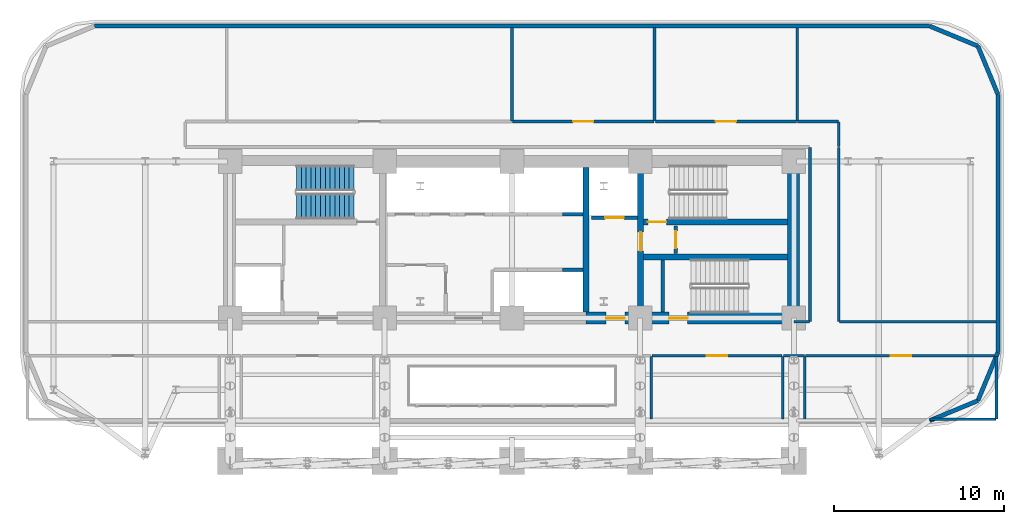
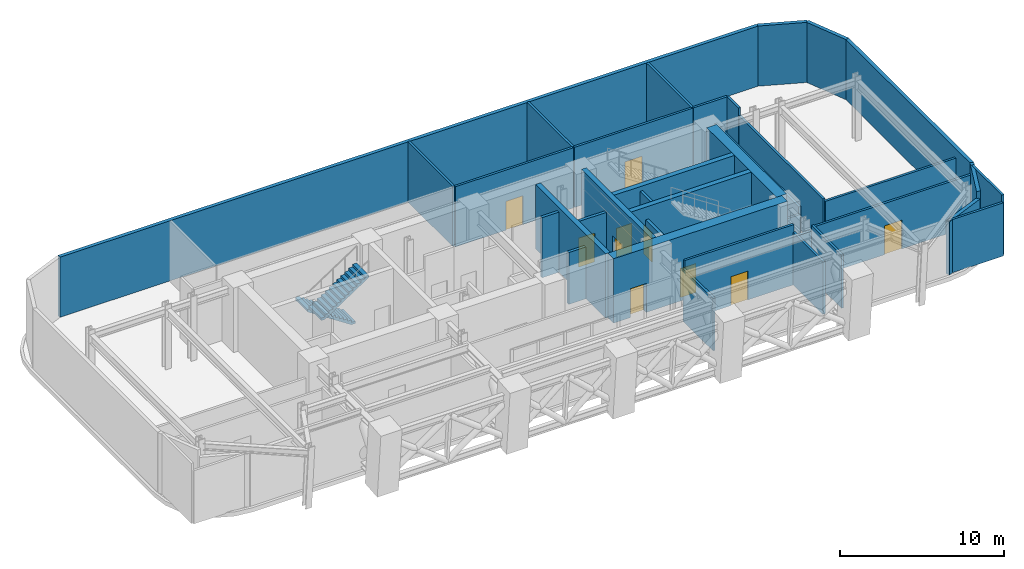
# One storey, part 9 of 12: 36 walls, 10 doors, 2 stair flights, 10 openings, 1 element without a shape of its own.
"""IFC4 building model written with IfcOpenShell, lengths in metres."""

import ifcopenshell
import ifcopenshell.guid

model = None  # the IFC model being written
_history = None  # IfcOwnerHistory: only IFC2X3 demands one
_inside = {}  # id of a spatial element -> (the spatial element, [elements in it])
_under = {}  # id of a project, library or spatial element -> (it, [spatial elements below it])
_declared = {}  # id of a project -> (the project, [libraries it declares])
_typed = {}  # id of a type object -> (the type object, [elements of that type])
_made_of = {}  # id of a material, layer set ... -> (it, [elements and type objects made of it])


def new_model(schema):
    """Start an empty IFC model of exactly this schema.

    Asked for "IFC4X3", IfcOpenShell would pick the latest addendum, in which some entities
    have other attributes; the version numbers below select the first issue.
    IFC2X3 requires an IfcOwnerHistory on every rooted entity: one is made here for all.
    """
    global model, _history
    if schema == "IFC4X3":
        model = ifcopenshell.file(schema_version=(4, 3, 0, 0))
    else:
        model = ifcopenshell.file(schema=schema)
    _inside.clear()
    _under.clear()
    _declared.clear()
    _typed.clear()
    _made_of.clear()
    _history = None
    if model.schema == "IFC2X3":
        org = make("IfcOrganization", Name="unknown")
        user = make(
            "IfcPersonAndOrganization",
            ThePerson=make("IfcPerson", FamilyName="unknown"),
            TheOrganization=org,
        )
        app = make(
            "IfcApplication",
            ApplicationDeveloper=org,
            Version="unknown",
            ApplicationFullName="unknown",
            ApplicationIdentifier="unknown",
        )
        _history = make(
            "IfcOwnerHistory",
            OwningUser=user,
            OwningApplication=app,
            ChangeAction="ADDED",
            CreationDate=0,
        )
    return model


def make(cls, **values):
    """One entity of the class cls with the attributes given. An attribute that is None is left unset."""
    return model.create_entity(
        cls, **{name: value for name, value in values.items() if value is not None}
    )


def rooted(cls, **values):
    """An entity with a GlobalId (a new one), such as an element, a storey or a relation."""
    return make(cls, GlobalId=ifcopenshell.guid.new(), OwnerHistory=_history, **values)


def si_unit(unit_type, name, prefix=None):
    """IfcSIUnit, for example si_unit("LENGTHUNIT", "METRE", prefix="MILLI")."""
    return make("IfcSIUnit", UnitType=unit_type, Prefix=prefix, Name=name)


def assignment(units):
    """IfcUnitAssignment: the units of a project."""
    return None if units is None else make("IfcUnitAssignment", Units=units)


def point(xyz):
    """IfcCartesianPoint."""
    return None if xyz is None else make("IfcCartesianPoint", Coordinates=xyz)


def direction(xyz):
    """IfcDirection."""
    return None if xyz is None else make("IfcDirection", DirectionRatios=xyz)


def frame(location, z_axis=None, x_axis=None):
    """IfcAxis2Placement3D, a coordinate frame: its origin and axes. An axis left out is left unset."""
    return make(
        "IfcAxis2Placement3D",
        Location=point(location),
        Axis=direction(z_axis),
        RefDirection=direction(x_axis),
    )


def frame_2d(location, x_axis=None):
    """IfcAxis2Placement2D, a coordinate frame in the plane: its origin and x axis."""
    return make(
        "IfcAxis2Placement2D", Location=point(location), RefDirection=direction(x_axis)
    )


def origin():
    """The frame at (0, 0, 0) with its axes left unset."""
    return frame((0.0, 0.0, 0.0))


def place(relative_to, where):
    """IfcLocalPlacement: puts the frame where relative to a parent placement (None: the world)."""
    return make(
        "IfcLocalPlacement", PlacementRelTo=relative_to, RelativePlacement=where
    )


def context(
    kind, dimensions, precision=None, world=None, true_north=None, identifier=None
):
    """IfcGeometricRepresentationContext, for example the 3D "Model" context."""
    return make(
        "IfcGeometricRepresentationContext",
        ContextIdentifier=identifier,
        ContextType=kind,
        CoordinateSpaceDimension=dimensions,
        Precision=precision,
        WorldCoordinateSystem=world,
        TrueNorth=true_north,
    )


def subcontext(parent, identifier, kind, view, scale=None):
    """IfcGeometricRepresentationSubContext, for example "Body" below "Model"."""
    return make(
        "IfcGeometricRepresentationSubContext",
        ContextIdentifier=identifier,
        ContextType=kind,
        ParentContext=parent,
        TargetScale=scale,
        TargetView=view,
    )


def project(units=None, contexts=None):
    """IfcProject with its units and contexts."""
    return rooted(
        "IfcProject",
        Name="project",
        RepresentationContexts=contexts,
        UnitsInContext=assignment(units),
    )


def spatial(cls, under=None, at=None, **own):
    """A site, building, storey or space (cls), placed at a placement, below another one or the project."""
    s = rooted(cls, ObjectPlacement=at, **own)
    if under is not None:
        _under.setdefault(under.id(), (under, []))[1].append(s)
    return s


def polyline(points):
    """IfcPolyline through the points."""
    return make("IfcPolyline", Points=[point(p) for p in points])


def profile(cls, at=None, kind="AREA", **sizes):
    """A parametric profile (cls). Its sizes go by their IFC names, for example OverallWidth=200.0."""
    return make(cls, ProfileType=kind, Position=at, **sizes)


def rectangle(**sizes):
    """IfcRectangleProfileDef."""
    return profile("IfcRectangleProfileDef", **sizes)


def outline(outer, holes=None, kind="AREA"):
    """IfcArbitraryClosedProfileDef: a profile drawn as a closed curve; with holes, ...WithVoids."""
    if holes is None:
        return make("IfcArbitraryClosedProfileDef", ProfileType=kind, OuterCurve=outer)
    return make(
        "IfcArbitraryProfileDefWithVoids",
        ProfileType=kind,
        OuterCurve=outer,
        InnerCurves=holes,
    )


def extrude(swept, where, along, depth):
    """IfcExtrudedAreaSolid: the profile swept, set in the frame where, extruded along a direction by depth."""
    return make(
        "IfcExtrudedAreaSolid",
        SweptArea=swept,
        Position=where,
        ExtrudedDirection=direction(along),
        Depth=depth,
    )


def shape(context_of_items, identifier, shape_type, items):
    """IfcShapeRepresentation: the items that make up one representation, for example the "Body"."""
    return make(
        "IfcShapeRepresentation",
        ContextOfItems=context_of_items,
        RepresentationIdentifier=identifier,
        RepresentationType=shape_type,
        Items=items,
    )


def material(Name=None, Category=None):
    """IfcMaterial."""
    return make("IfcMaterial", Name=Name, Category=Category)


def layer(
    of_material, thickness, ventilated=None, Name=None, Category=None, Priority=None
):
    """IfcMaterialLayer: one layer of a wall or slab, of a material (None: an air gap)."""
    return make(
        "IfcMaterialLayer",
        Material=of_material,
        LayerThickness=thickness,
        IsVentilated=ventilated,
        Name=Name,
        Category=Category,
        Priority=Priority,
    )


def layer_set(layers, Name=None):
    """IfcMaterialLayerSet."""
    return make("IfcMaterialLayerSet", MaterialLayers=layers, LayerSetName=Name)


def made_of(thing, what):
    """Note that an element or type object is made of a material, layer set ...; save() writes the relation."""
    if what is not None:
        _made_of.setdefault(what.id(), (what, []))[1].append(thing)
    return thing


def type_object(cls, material=None, **own):
    """A type object (cls), such as IfcWallType, which elements share."""
    return made_of(rooted(cls, **own), material)


def element(
    cls,
    number,
    at=None,
    inside=None,
    cuts=None,
    type_object=None,
    material=None,
    context=None,
    identifier="Body",
    shape_type=None,
    held_by="IfcProductDefinitionShape",
    body=None,
    shapes=None,
    **own,
):
    """One element of the class cls, such as IfcWall. Its Tag is "e" and its number.

    at: its placement. inside: the storey or other place that contains it. cuts: it is an
    opening in that element (IfcRelVoidsElement). A single representation is given by context,
    identifier, shape_type and body (its items); several are given by shapes. held_by: the class
    of the entity that holds the representations. save() writes the other relations.
    """
    e = rooted(cls, Tag="e%d" % number, ObjectPlacement=at, **own)
    if body is not None:
        shapes = [shape(context, identifier, shape_type, body)]
    if shapes is not None:
        e.Representation = make(held_by, Representations=shapes)
    if inside is not None:
        _inside.setdefault(inside.id(), (inside, []))[1].append(e)
    if cuts is not None:
        rooted(
            "IfcRelVoidsElement", RelatingBuildingElement=cuts, RelatedOpeningElement=e
        )
    if type_object is not None:
        _typed.setdefault(type_object.id(), (type_object, []))[1].append(e)
    return made_of(e, material)


def fill(opening, filler):
    """IfcRelFillsElement: the door or window that sits in an opening."""
    return rooted(
        "IfcRelFillsElement",
        RelatingOpeningElement=opening,
        RelatedBuildingElement=filler,
    )


def aggregate(whole, parts):
    """IfcRelAggregates: a whole, such as a stair, and the parts it consists of."""
    return rooted("IfcRelAggregates", RelatingObject=whole, RelatedObjects=parts)


def save(model, path):
    """Write the relations noted so far, then the file.

    IfcRelAggregates (storeys below a building ...), IfcRelContainedInSpatialStructure (elements
    in a storey), IfcRelDefinesByType, IfcRelAssociatesMaterial and IfcRelDeclares: one each for
    every whole, place, type object, material and project.
    """
    for whole, parts in _under.values():
        aggregate(whole, parts)
    for where, things in _inside.values():
        rooted(
            "IfcRelContainedInSpatialStructure",
            RelatedElements=things,
            RelatingStructure=where,
        )
    for kind, things in _typed.values():
        rooted("IfcRelDefinesByType", RelatedObjects=things, RelatingType=kind)
    for what, things in _made_of.values():
        rooted("IfcRelAssociatesMaterial", RelatedObjects=things, RelatingMaterial=what)
    for by, libraries in _declared.values():
        rooted("IfcRelDeclares", RelatingContext=by, RelatedDefinitions=libraries)
    model.write(path)


model = new_model("IFC4")

# Units and contexts
model_context = context("Model", 3, precision=1e-05, world=origin(), true_north=direction((0.0, 1.0)))
body_context = subcontext(model_context, "Body", "Model", "MODEL_VIEW")
ifc_project = project(units=[si_unit("LENGTHUNIT", "METRE"), si_unit("AREAUNIT", "SQUARE_METRE"), si_unit("VOLUMEUNIT", "CUBIC_METRE"), si_unit("PLANEANGLEUNIT", "RADIAN"), si_unit("MASSUNIT", "GRAM", prefix="KILO")], contexts=[model_context])

# Site, building, storey
site_placement = place(None, origin())
site = spatial("IfcSite", under=ifc_project, at=site_placement, CompositionType="ELEMENT")
building_placement = place(site_placement, origin())
building = spatial("IfcBuilding", under=site, at=building_placement, Name="Zarnavel Station Tower", CompositionType="ELEMENT")
storey_placement = place(building_placement, frame((0.0, 0.0, 74.5)))
storey = spatial("IfcBuildingStorey", under=building, at=storey_placement, Name="L20", CompositionType="ELEMENT", Elevation=74.5)

# Wall
ifc_material_1 = material(Name="Concrete C50/60", Category="concrete")
ifc_layer_1 = layer(ifc_material_1, 0.35009765625)
ifc_layer_set_1 = layer_set([ifc_layer_1], Name="CW_350")
wall_type_1 = type_object("IfcWallType", Name="CW_350", PredefinedType="SHEAR", material=ifc_layer_set_1)
wall_1_placement = place(storey_placement, frame((33.14990234375, 28.169921875, 0.0), z_axis=(0.0, 0.0, 1.0), x_axis=(0.0, 1.0, 0.0)))
element("IfcWall", 1, at=wall_1_placement, inside=storey, type_object=wall_type_1, Name="L20 Rear Core Shear Wall DIV-E", PredefinedType="SHEAR", context=body_context, shape_type="SweptSolid", body=[
    extrude(rectangle(XDim=8.530029296875, YDim=0.35009765625, at=frame_2d((4.26513671875, 0.0))), origin(), (0.0, 0.0, 1.0), 4.800048828125),
])

# Wall, opening, door
wall_2_placement = place(storey_placement, frame((36.3798828125, 28.169921875, 0.0), z_axis=(0.0, 0.0, 1.0), x_axis=(0.0, 1.0, 0.0)))
wall_2 = element("IfcWall", 2, at=wall_2_placement, inside=storey, type_object=wall_type_1, Name="L20 Rear Core Shear Wall DIV-S2", PredefinedType="SHEAR", context=body_context, shape_type="SweptSolid", body=[
    extrude(rectangle(XDim=8.530029296875, YDim=0.35009765625, at=frame_2d((4.26513671875, 0.0))), origin(), (0.0, 0.0, 1.0), 4.800048828125),
])
opening_1_placement = place(wall_2_placement, frame((3.610107421875, 0.0, 0.0)))
opening_1 = element("IfcOpeningElement", 3, at=opening_1_placement, cuts=wall_2, Name="Opening FD01", PredefinedType="OPENING", context=body_context, shape_type="SweptSolid", body=[
    extrude(rectangle(XDim=1.10009765625, YDim=2.14990234375, at=frame_2d((0.550048828125, 1.074951171875))), frame((0.0, 0.18505859375, 0.0), z_axis=(0.0, -1.0, 0.0), x_axis=(1.0, 0.0, 0.0)), (0.0, 0.0, 1.0), 0.3701171875),
])
ifc_material_2 = material(Name="Painted Galvanised Steel and Hardwood Leaf", Category="steel")
door_type_1 = type_object("IfcDoorType", Name="ID_STAIR_1100", OperationType="NOTDEFINED", PredefinedType="DOOR", material=ifc_material_2)
door_1_placement = place(opening_1_placement, origin())
door_1 = element("IfcDoor", 4, at=door_1_placement, inside=storey, type_object=door_type_1, Name="L20 East Stair Vestibule Fire Door", OperationType="SINGLE_SWING_LEFT", OverallHeight=2.14990234375, OverallWidth=1.10009765625, PredefinedType="DOOR", context=body_context, shape_type="SweptSolid", body=[
    extrude(rectangle(XDim=1.10009765625, YDim=2.14990234375, at=frame_2d((0.550048828125, 1.074951171875))), frame((0.0, 0.02490234375, 0.0), z_axis=(0.0, -1.0, 0.0), x_axis=(1.0, 0.0, 0.0)), (0.0, 0.0, 1.0), 0.050048828125),
])
fill(opening_1, door_1)

wall_3_placement = place(storey_placement, frame((45.030029296875, 33.47998046875, 0.0), z_axis=(0.0, 0.0, 1.0), x_axis=(-1.0, 0.0, 0.0)))
wall_3 = element("IfcWall", 5, at=wall_3_placement, inside=storey, type_object=wall_type_1, Name="L20 Rear Core Shear Wall DIV-H2", PredefinedType="SHEAR", context=body_context, shape_type="SweptSolid", body=[
    extrude(rectangle(XDim=8.47509765625, YDim=0.35009765625, at=frame_2d((4.237548828125, 0.0))), origin(), (0.0, 0.0, 1.0), 4.800048828125),
])
opening_2_placement = place(wall_3_placement, frame((7.1298828125, 0.0, 0.0)))
opening_2 = element("IfcOpeningElement", 6, at=opening_2_placement, cuts=wall_3, Name="Opening FD01", PredefinedType="OPENING", context=body_context, shape_type="SweptSolid", body=[
    extrude(rectangle(XDim=1.10009765625, YDim=2.14990234375, at=frame_2d((0.550048828125, 1.074951171875))), frame((0.0, 0.18505859375, 0.0), z_axis=(0.0, -1.0, 0.0), x_axis=(1.0, 0.0, 0.0)), (0.0, 0.0, 1.0), 0.3701171875),
])
door_2_placement = place(opening_2_placement, origin())
door_2 = element("IfcDoor", 7, at=door_2_placement, inside=storey, type_object=door_type_1, Name="L20 Stair ST2 Lobby Fire Door", OperationType="SINGLE_SWING_RIGHT", OverallHeight=2.14990234375, OverallWidth=1.10009765625, PredefinedType="DOOR", context=body_context, shape_type="SweptSolid", body=[
    extrude(rectangle(XDim=1.10009765625, YDim=2.14990234375, at=frame_2d((0.550048828125, 1.074951171875))), frame((0.0, 0.02490234375, 0.0), z_axis=(0.0, -1.0, 0.0), x_axis=(1.0, 0.0, 0.0)), (0.0, 0.0, 1.0), 0.050048828125),
])
fill(opening_2, door_2)

# Wall
wall_4_placement = place(storey_placement, frame((36.554931640625, 31.419921875, 0.0), z_axis=(0.0, 0.0, 1.0), x_axis=(1.0, 0.0, 0.0)))
element("IfcWall", 8, at=wall_4_placement, inside=storey, type_object=wall_type_1, Name="L20 Rear Core Shear Wall DIV-H3", PredefinedType="SHEAR", context=body_context, shape_type="SweptSolid", body=[
    extrude(rectangle(XDim=8.47509765625, YDim=0.35009765625, at=frame_2d((4.237548828125, 0.0))), origin(), (0.0, 0.0, 1.0), 4.800048828125),
])

# Wall, openings, doors
ifc_material_3 = material(Name="Concrete C60/75", Category="concrete")
ifc_layer_2 = layer(ifc_material_3, 0.699951171875)
ifc_layer_set_2 = layer_set([ifc_layer_2], Name="CW_700")
wall_type_2 = type_object("IfcWallType", Name="CW_700", PredefinedType="SHEAR", material=ifc_layer_set_2)
wall_5_placement = place(storey_placement, frame((45.3798828125, 27.820068359375, 0.0), z_axis=(0.0, 0.0, 1.0), x_axis=(-1.0, 0.0, 0.0)))
wall_5 = element("IfcWall", 9, at=wall_5_placement, inside=storey, type_object=wall_type_2, Name="L20 Rear Core Shear Wall S-E", PredefinedType="SHEAR", context=body_context, shape_type="SweptSolid", body=[
    extrude(rectangle(XDim=12.22998046875, YDim=0.699951171875, at=frame_2d((6.114990234375, 0.0))), origin(), (0.0, 0.0, 1.0), 4.800048828125),
])
opening_3_placement = place(wall_5_placement, frame((9.929931640625, 0.0, 0.0)))
opening_3 = element("IfcOpeningElement", 10, at=opening_3_placement, cuts=wall_5, Name="Opening FD01", PredefinedType="OPENING", context=body_context, shape_type="SweptSolid", body=[
    extrude(rectangle(XDim=1.10009765625, YDim=2.14990234375, at=frame_2d((0.550048828125, 1.074951171875))), frame((0.0, 0.35986328125, 0.0), z_axis=(0.0, -1.0, 0.0), x_axis=(1.0, 0.0, 0.0)), (0.0, 0.0, 1.0), 0.719970703125),
])
opening_4_placement = place(wall_5_placement, frame((6.22998046875, 0.0, 0.0)))
opening_4 = element("IfcOpeningElement", 11, at=opening_4_placement, cuts=wall_5, Name="Opening FD01", PredefinedType="OPENING", context=body_context, shape_type="SweptSolid", body=[
    extrude(rectangle(XDim=1.10009765625, YDim=2.14990234375, at=frame_2d((0.550048828125, 1.074951171875))), frame((0.0, 0.35986328125, 0.0), z_axis=(0.0, -1.0, 0.0), x_axis=(1.0, 0.0, 0.0)), (0.0, 0.0, 1.0), 0.719970703125),
])
door_3_placement = place(opening_3_placement, origin())
door_3 = element("IfcDoor", 12, at=door_3_placement, inside=storey, type_object=door_type_1, Name="L20 East Firefighting Lobby Door", OperationType="SINGLE_SWING_LEFT", OverallHeight=2.14990234375, OverallWidth=1.10009765625, PredefinedType="DOOR", context=body_context, shape_type="SweptSolid", body=[
    extrude(rectangle(XDim=1.10009765625, YDim=2.14990234375, at=frame_2d((0.550048828125, 1.074951171875))), frame((0.0, 0.02490234375, 0.0), z_axis=(0.0, -1.0, 0.0), x_axis=(1.0, 0.0, 0.0)), (0.0, 0.0, 1.0), 0.050048828125),
])
fill(opening_3, door_3)
door_4_placement = place(opening_4_placement, origin())
door_4 = element("IfcDoor", 13, at=door_4_placement, inside=storey, type_object=door_type_1, Name="L20 Stair ST3 Corridor Fire Door", OperationType="SINGLE_SWING_RIGHT", OverallHeight=2.14990234375, OverallWidth=1.10009765625, PredefinedType="DOOR", context=body_context, shape_type="SweptSolid", body=[
    extrude(rectangle(XDim=1.10009765625, YDim=2.14990234375, at=frame_2d((0.550048828125, 1.074951171875))), frame((0.0, 0.02490234375, 0.0), z_axis=(0.0, -1.0, 0.0), x_axis=(1.0, 0.0, 0.0)), (0.0, 0.0, 1.0), 0.050048828125),
])
fill(opening_4, door_4)

# Walls
wall_6_placement = place(storey_placement, frame((45.3798828125, 28.169921875, 0.0), z_axis=(0.0, 0.0, 1.0), x_axis=(0.0, 1.0, 0.0)))
element("IfcWall", 14, at=wall_6_placement, inside=storey, type_object=wall_type_2, Name="L20 Rear Core Shear Wall E", PredefinedType="SHEAR", context=body_context, shape_type="SweptSolid", body=[
    extrude(rectangle(XDim=8.530029296875, YDim=0.699951171875, at=frame_2d((4.26513671875, 0.0))), origin(), (0.0, 0.0, 1.0), 4.800048828125),
])
ifc_material_4 = material(Name="Precast concrete C45/55 (Basalt Spandrel)", Category="masonry")
ifc_layer_3 = layer(ifc_material_4, 0.25)
ifc_layer_set_3 = layer_set([ifc_layer_3], Name="EW_SPANDREL_250")
wall_type_3 = type_object("IfcWallType", Name="EW_SPANDREL_250", PredefinedType="SOLIDWALL", material=ifc_layer_set_3)
wall_7_placement = place(storey_placement, frame((56.24267578125, 22.95751953125, 0.0), z_axis=(0.0, 0.0, 1.0), x_axis=(-0.923882414032, -0.382676475685, 0.0)))
element("IfcWall", 15, at=wall_7_placement, inside=storey, type_object=wall_type_3, Name="L20 Exterior Basalt Masonry Frame Wall 01", PredefinedType="SOLIDWALL", context=body_context, shape_type="SweptSolid", body=[
    extrude(rectangle(XDim=3.076904296875, YDim=0.25, at=frame_2d((1.53857421875, 0.0))), origin(), (0.0, 0.0, 1.0), 3.9599609375),
])
wall_8_placement = place(storey_placement, frame((57.419921875, 25.800048828125, 0.0), z_axis=(0.0, 0.0, 1.0), x_axis=(-0.382636798336, -0.92389884758, 0.0)))
element("IfcWall", 16, at=wall_8_placement, inside=storey, type_object=wall_type_3, Name="L20 Exterior Basalt Masonry Frame Wall 02", PredefinedType="SOLIDWALL", context=body_context, shape_type="SweptSolid", body=[
    extrude(rectangle(XDim=3.07666015625, YDim=0.25, at=frame_2d((1.538330078125, 0.0))), origin(), (0.0, 0.0, 1.0), 4.47998046875),
])
wall_9_placement = place(storey_placement, frame((57.419921875, 41.0, 0.0), z_axis=(0.0, 0.0, 1.0), x_axis=(0.0, -1.0, 0.0)))
element("IfcWall", 17, at=wall_9_placement, inside=storey, type_object=wall_type_3, Name="L20 Exterior Basalt Masonry Frame Wall 03", PredefinedType="SOLIDWALL", context=body_context, shape_type="SweptSolid", body=[
    extrude(rectangle(XDim=15.199951171875, YDim=0.25, at=frame_2d((7.60009765625, 0.0))), origin(), (0.0, 0.0, 1.0), 4.47998046875),
])
wall_10_placement = place(storey_placement, frame((56.24267578125, 43.842529296875, 0.0), z_axis=(0.0, 0.0, 1.0), x_axis=(0.382636798336, -0.92389884758, 0.0)))
element("IfcWall", 18, at=wall_10_placement, inside=storey, type_object=wall_type_3, Name="L20 Exterior Basalt Masonry Frame Wall 04", PredefinedType="SOLIDWALL", context=body_context, shape_type="SweptSolid", body=[
    extrude(rectangle(XDim=3.07666015625, YDim=0.25, at=frame_2d((1.538330078125, 0.0))), origin(), (0.0, 0.0, 1.0), 4.47998046875),
])
wall_11_placement = place(storey_placement, frame((53.39990234375, 45.02001953125, 0.0), z_axis=(0.0, 0.0, 1.0), x_axis=(0.923882414032, -0.382676475685, 0.0)))
element("IfcWall", 19, at=wall_11_placement, inside=storey, type_object=wall_type_3, Name="L20 Exterior Basalt Masonry Frame Wall 05", PredefinedType="SOLIDWALL", context=body_context, shape_type="SweptSolid", body=[
    extrude(rectangle(XDim=3.076904296875, YDim=0.25, at=frame_2d((1.53857421875, 0.0))), origin(), (0.0, 0.0, 1.0), 4.47998046875),
])
wall_12_placement = place(storey_placement, frame((4.199951171875, 45.02001953125, 0.0), z_axis=(0.0, 0.0, 1.0), x_axis=(1.0, 0.0, 0.0)))
element("IfcWall", 20, at=wall_12_placement, inside=storey, type_object=wall_type_3, Name="L20 Exterior Basalt Masonry Frame Wall 06", PredefinedType="SOLIDWALL", context=body_context, shape_type="SweptSolid", body=[
    extrude(rectangle(XDim=49.199951171875, YDim=0.25, at=frame_2d((24.60009765625, 0.0))), origin(), (0.0, 0.0, 1.0), 4.47998046875),
])

# Wall, opening, door
ifc_material_5 = material(Name="Gypsum Twin-Stud Acoustic Fire Partition", Category="concrete")
ifc_layer_4 = layer(ifc_material_5, 0.159912109375)
ifc_layer_set_4 = layer_set([ifc_layer_4], Name="PT_DEMISE_160")
wall_type_4 = type_object("IfcWallType", Name="PT_DEMISE_160", PredefinedType="PARTITIONING", material=ifc_layer_set_4)
wall_13_placement = place(storey_placement, frame((37.0400390625, 25.60009765625, 0.0), z_axis=(0.0, 0.0, 1.0), x_axis=(1.0, 0.0, 0.0)))
wall_13 = element("IfcWall", 21, at=wall_13_placement, inside=storey, type_object=wall_type_4, Name="L20 Partition PCOR-AHU2", PredefinedType="PARTITIONING", context=body_context, shape_type="SweptSolid", body=[
    extrude(rectangle(XDim=7.669921875, YDim=0.159912109375, at=frame_2d((3.8349609375, 0.0))), origin(), (0.0, 0.0, 1.0), 4.47998046875),
])
opening_5_placement = place(wall_13_placement, frame((3.235107421875, 0.0, 0.0)))
opening_5 = element("IfcOpeningElement", 22, at=opening_5_placement, cuts=wall_13, Name="Opening FD03", PredefinedType="OPENING", context=body_context, shape_type="SweptSolid", body=[
    extrude(rectangle(XDim=1.199951171875, YDim=2.14990234375, at=frame_2d((0.60009765625, 1.074951171875))), frame((0.0, 0.08984375, 0.0), z_axis=(0.0, -1.0, 0.0), x_axis=(1.0, 0.0, 0.0)), (0.0, 0.0, 1.0), 0.179931640625),
])
ifc_material_6 = material(Name="Painted Galvanised Steel and Hardwood Leaf", Category="steel")
door_type_2 = type_object("IfcDoorType", Name="ID_PLANT_1200", OperationType="NOTDEFINED", PredefinedType="DOOR", material=ifc_material_6)
door_5_placement = place(opening_5_placement, origin())
door_5 = element("IfcDoor", 23, at=door_5_placement, inside=storey, type_object=door_type_2, Name="L20 Door PCOR-AHU2", OperationType="SINGLE_SWING_LEFT", OverallHeight=2.14990234375, OverallWidth=1.199951171875, PredefinedType="DOOR", context=body_context, shape_type="SweptSolid", body=[
    extrude(rectangle(XDim=1.199951171875, YDim=2.14990234375, at=frame_2d((0.60009765625, 1.074951171875))), frame((0.0, 0.02490234375, 0.0), z_axis=(0.0, -1.0, 0.0), x_axis=(1.0, 0.0, 0.0)), (0.0, 0.0, 1.0), 0.050048828125),
])
fill(opening_5, door_5)

wall_14_placement = place(storey_placement, frame((46.090087890625, 25.60009765625, 0.0), z_axis=(0.0, 0.0, 1.0), x_axis=(1.0, 0.0, 0.0)))
wall_14 = element("IfcWall", 24, at=wall_14_placement, inside=storey, type_object=wall_type_4, Name="L20 Partition PCOR-PMP", PredefinedType="PARTITIONING", context=body_context, shape_type="SweptSolid", body=[
    extrude(rectangle(XDim=11.25, YDim=0.159912109375, at=frame_2d((5.625, 0.0))), origin(), (0.0, 0.0, 1.0), 3.81005859375),
])
opening_6_placement = place(wall_14_placement, frame((5.02490234375, 0.0, 0.0)))
opening_6 = element("IfcOpeningElement", 25, at=opening_6_placement, cuts=wall_14, Name="Opening FD03", PredefinedType="OPENING", context=body_context, shape_type="SweptSolid", body=[
    extrude(rectangle(XDim=1.199951171875, YDim=2.14990234375, at=frame_2d((0.60009765625, 1.074951171875))), frame((0.0, 0.08984375, 0.0), z_axis=(0.0, -1.0, 0.0), x_axis=(1.0, 0.0, 0.0)), (0.0, 0.0, 1.0), 0.179931640625),
])
door_6_placement = place(opening_6_placement, origin())
door_6 = element("IfcDoor", 26, at=door_6_placement, inside=storey, type_object=door_type_2, Name="L20 Door PCOR-PMP", OperationType="SINGLE_SWING_RIGHT", OverallHeight=2.14990234375, OverallWidth=1.199951171875, PredefinedType="DOOR", context=body_context, shape_type="SweptSolid", body=[
    extrude(rectangle(XDim=1.199951171875, YDim=2.14990234375, at=frame_2d((0.60009765625, 1.074951171875))), frame((0.0, 0.02490234375, 0.0), z_axis=(0.0, -1.0, 0.0), x_axis=(1.0, 0.0, 0.0)), (0.0, 0.0, 1.0), 0.050048828125),
])
fill(opening_6, door_6)

wall_15_placement = place(storey_placement, frame((28.840087890625, 39.39990234375, 0.0), z_axis=(0.0, 0.0, 1.0), x_axis=(1.0, 0.0, 0.0)))
wall_15 = element("IfcWall", 27, at=wall_15_placement, inside=storey, type_object=wall_type_4, Name="L20 Partition PCOR-N-SUB1", PredefinedType="PARTITIONING", context=body_context, shape_type="SweptSolid", body=[
    extrude(rectangle(XDim=8.31982421875, YDim=0.159912109375, at=frame_2d((4.159912109375, 0.0))), origin(), (0.0, 0.0, 1.0), 4.47998046875),
])
opening_7_placement = place(wall_15_placement, frame((3.56005859375, 0.0, 0.0)))
opening_7 = element("IfcOpeningElement", 28, at=opening_7_placement, cuts=wall_15, Name="Opening FD03", PredefinedType="OPENING", context=body_context, shape_type="SweptSolid", body=[
    extrude(rectangle(XDim=1.199951171875, YDim=2.14990234375, at=frame_2d((0.60009765625, 1.074951171875))), frame((0.0, 0.08984375, 0.0), z_axis=(0.0, -1.0, 0.0), x_axis=(1.0, 0.0, 0.0)), (0.0, 0.0, 1.0), 0.179931640625),
])
door_7_placement = place(opening_7_placement, origin())
door_7 = element("IfcDoor", 29, at=door_7_placement, inside=storey, type_object=door_type_2, Name="L20 Door PCOR-N-SUB1", OperationType="SINGLE_SWING_RIGHT", OverallHeight=2.14990234375, OverallWidth=1.199951171875, PredefinedType="DOOR", context=body_context, shape_type="SweptSolid", body=[
    extrude(rectangle(XDim=1.199951171875, YDim=2.14990234375, at=frame_2d((0.60009765625, 1.074951171875))), frame((0.0, 0.02490234375, 0.0), z_axis=(0.0, -1.0, 0.0), x_axis=(1.0, 0.0, 0.0)), (0.0, 0.0, 1.0), 0.050048828125),
])
fill(opening_7, door_7)

wall_16_placement = place(storey_placement, frame((37.239990234375, 39.39990234375, 0.0), z_axis=(0.0, 0.0, 1.0), x_axis=(1.0, 0.0, 0.0)))
wall_16 = element("IfcWall", 30, at=wall_16_placement, inside=storey, type_object=wall_type_4, Name="L20 Partition PCOR-N-SUB2", PredefinedType="PARTITIONING", context=body_context, shape_type="SweptSolid", body=[
    extrude(rectangle(XDim=8.320068359375, YDim=0.159912109375, at=frame_2d((4.16015625, 0.0))), origin(), (0.0, 0.0, 1.0), 4.47998046875),
])
opening_8_placement = place(wall_16_placement, frame((3.56005859375, 0.0, 0.0)))
opening_8 = element("IfcOpeningElement", 31, at=opening_8_placement, cuts=wall_16, Name="Opening FD03", PredefinedType="OPENING", context=body_context, shape_type="SweptSolid", body=[
    extrude(rectangle(XDim=1.199951171875, YDim=2.14990234375, at=frame_2d((0.60009765625, 1.074951171875))), frame((0.0, 0.08984375, 0.0), z_axis=(0.0, -1.0, 0.0), x_axis=(1.0, 0.0, 0.0)), (0.0, 0.0, 1.0), 0.179931640625),
])
door_8_placement = place(opening_8_placement, origin())
door_8 = element("IfcDoor", 32, at=door_8_placement, inside=storey, type_object=door_type_2, Name="L20 Door PCOR-N-SUB2", OperationType="SINGLE_SWING_LEFT", OverallHeight=2.14990234375, OverallWidth=1.199951171875, PredefinedType="DOOR", context=body_context, shape_type="SweptSolid", body=[
    extrude(rectangle(XDim=1.199951171875, YDim=2.14990234375, at=frame_2d((0.60009765625, 1.074951171875))), frame((0.0, 0.02490234375, 0.0), z_axis=(0.0, -1.0, 0.0), x_axis=(1.0, 0.0, 0.0)), (0.0, 0.0, 1.0), 0.050048828125),
])
fill(opening_8, door_8)

# Walls
for number, where, z_axis, x_axis, name in (
    (33, (28.800048828125, 39.43994140625, 0.0), (0.0, 0.0, 1.0), (0.0, 1.0, 0.0), "L20 Partition REFG2-SUB1"),
    (34, (37.199951171875, 39.43994140625, 0.0), (0.0, 0.0, 1.0), (0.0, 1.0, 0.0), "L20 Partition SUB1-SUB2"),
):
    element("IfcWall", number, at=place(storey_placement, frame(where, z_axis=z_axis, x_axis=x_axis)), inside=storey, type_object=wall_type_4, Name=name, PredefinedType="PARTITIONING", context=body_context, shape_type="SweptSolid", body=[
        extrude(rectangle(XDim=5.5, YDim=0.159912109375, at=frame_2d((2.75, 0.0))), origin(), (0.0, 0.0, 1.0), 4.47998046875),
    ])
wall_17_placement = place(storey_placement, frame((44.780029296875, 25.60009765625, 0.0), z_axis=(0.0, 0.0, 1.0), x_axis=(1.0, 0.0, 0.0)))
element("IfcWall", 35, at=wall_17_placement, inside=storey, type_object=wall_type_4, Name="L20 Enclosure Wall PCOR", PredefinedType="PARTITIONING", context=body_context, shape_type="SweptSolid", body=[
    extrude(rectangle(XDim=1.239990234375, YDim=0.159912109375, at=frame_2d((0.6201171875, 0.0))), origin(), (0.0, 0.0, 1.0), 3.550048828125),
])
wall_18_placement = place(storey_placement, frame((45.409912109375, 27.60009765625, 0.0), z_axis=(0.0, 0.0, 1.0), x_axis=(1.0, 0.0, 0.0)))
element("IfcWall", 36, at=wall_18_placement, inside=storey, type_object=wall_type_4, Name="L20 Enclosure Wall PCOR", PredefinedType="PARTITIONING", context=body_context, shape_type="SweptSolid", body=[
    extrude(rectangle(XDim=0.91015625, YDim=0.159912109375, at=frame_2d((0.455078125, 0.0))), origin(), (0.0, 0.0, 1.0), 3.451904296875),
])
wall_19_placement = place(storey_placement, frame((48.080078125, 27.60009765625, 0.0), z_axis=(0.0, 0.0, 1.0), x_axis=(1.0, 0.0, 0.0)))
element("IfcWall", 37, at=wall_19_placement, inside=storey, type_object=wall_type_4, Name="L20 Enclosure Wall PCOR", PredefinedType="PARTITIONING", context=body_context, shape_type="SweptSolid", body=[
    extrude(rectangle(XDim=9.22998046875, YDim=0.159912109375, at=frame_2d((4.614990234375, 0.0))), origin(), (0.0, 0.0, 1.0), 3.81005859375),
])
for number, where, z_axis, x_axis, name in (
    (38, (46.35009765625, 27.6298828125, 0.0), (0.0, 0.0, 1.0), (0.0, 1.0, 0.0), "L20 Enclosure Wall PCOR-E"),
    (39, (48.050048828125, 27.6298828125, 0.0), (0.0, 0.0, 1.0), (0.0, 1.0, 0.0), "L20 Enclosure Wall PCOR-E"),
):
    element("IfcWall", number, at=place(storey_placement, frame(where, z_axis=z_axis, x_axis=x_axis)), inside=storey, type_object=wall_type_4, Name=name, PredefinedType="PARTITIONING", context=body_context, shape_type="SweptSolid", body=[
        extrude(rectangle(XDim=10.240234375, YDim=0.159912109375, at=frame_2d((5.1201171875, 0.0))), origin(), (0.0, 0.0, 1.0), 3.9599609375),
    ])
wall_20_placement = place(storey_placement, frame((45.6298828125, 39.39990234375, 0.0), z_axis=(0.0, 0.0, 1.0), x_axis=(1.0, 0.0, 0.0)))
element("IfcWall", 40, at=wall_20_placement, inside=storey, type_object=wall_type_4, Name="L20 Enclosure Wall PCOR-N", PredefinedType="PARTITIONING", context=body_context, shape_type="SweptSolid", body=[
    extrude(rectangle(XDim=2.39013671875, YDim=0.159912109375, at=frame_2d((1.195068359375, 0.0))), origin(), (0.0, 0.0, 1.0), 4.47998046875),
])
wall_21_placement = place(storey_placement, frame((48.050048828125, 37.929931640625, 0.0), z_axis=(0.0, 0.0, 1.0), x_axis=(0.0, 1.0, 0.0)))
element("IfcWall", 41, at=wall_21_placement, inside=storey, type_object=wall_type_4, Name="L20 Enclosure Wall PCOR-N", PredefinedType="PARTITIONING", context=body_context, shape_type="SweptSolid", body=[
    extrude(rectangle(XDim=1.440185546875, YDim=0.159912109375, at=frame_2d((0.72021484375, 0.0))), origin(), (0.0, 0.0, 1.0), 4.47998046875),
])
for number, where, z_axis, x_axis, name in (
    (42, (37.0, 21.889892578125, 0.0), (0.0, 0.0, 1.0), (0.0, 1.0, 0.0), "L20 Enclosure Wall AHU2"),
    (43, (44.75, 21.889892578125, 0.0), (0.0, 0.0, 1.0), (0.0, 1.0, 0.0), "L20 Enclosure Wall AHU2"),
):
    element("IfcWall", number, at=place(storey_placement, frame(where, z_axis=z_axis, x_axis=x_axis)), inside=storey, type_object=wall_type_4, Name=name, PredefinedType="PARTITIONING", context=body_context, shape_type="SweptSolid", body=[
        extrude(rectangle(XDim=3.68017578125, YDim=0.159912109375, at=frame_2d((1.840087890625, 0.0))), origin(), (0.0, 0.0, 1.0), 3.909912109375),
    ])
wall_22_placement = place(storey_placement, frame((53.429931640625, 21.860107421875, 0.0), z_axis=(0.0, 0.0, 1.0), x_axis=(1.0, 0.0, 0.0)))
element("IfcWall", 44, at=wall_22_placement, inside=storey, type_object=wall_type_4, Name="L20 Enclosure Wall PMP", PredefinedType="PARTITIONING", context=body_context, shape_type="SweptSolid", body=[
    extrude(rectangle(XDim=3.880126953125, YDim=0.159912109375, at=frame_2d((1.93994140625, 0.0))), origin(), (0.0, 0.0, 1.0), 3.9599609375),
])
wall_23_placement = place(storey_placement, frame((46.050048828125, 21.889892578125, 0.0), z_axis=(0.0, 0.0, 1.0), x_axis=(0.0, 1.0, 0.0)))
element("IfcWall", 45, at=wall_23_placement, inside=storey, type_object=wall_type_4, Name="L20 Enclosure Wall PMP", PredefinedType="PARTITIONING", context=body_context, shape_type="SweptSolid", body=[
    extrude(rectangle(XDim=3.68017578125, YDim=0.159912109375, at=frame_2d((1.840087890625, 0.0))), origin(), (0.0, 0.0, 1.0), 3.9599609375),
])
wall_24_placement = place(storey_placement, frame((57.340087890625, 21.889892578125, 0.0), z_axis=(0.0, 0.0, 1.0), x_axis=(0.0, 1.0, 0.0)))
element("IfcWall", 46, at=wall_24_placement, inside=storey, type_object=wall_type_4, Name="L20 Enclosure Wall PMP", PredefinedType="PARTITIONING", context=body_context, shape_type="SweptSolid", body=[
    extrude(rectangle(XDim=3.68017578125, YDim=0.159912109375, at=frame_2d((1.840087890625, 0.0))), origin(), (0.0, 0.0, 1.0), 4.47998046875),
])
wall_25_placement = place(storey_placement, frame((45.60009765625, 39.429931640625, 0.0), z_axis=(0.0, 0.0, 1.0), x_axis=(0.0, 1.0, 0.0)))
element("IfcWall", 47, at=wall_25_placement, inside=storey, type_object=wall_type_4, Name="L20 Enclosure Wall SUB2", PredefinedType="PARTITIONING", context=body_context, shape_type="SweptSolid", body=[
    extrude(rectangle(XDim=5.47998046875, YDim=0.159912109375, at=frame_2d((2.739990234375, 0.0))), origin(), (0.0, 0.0, 1.0), 4.47998046875),
])

# Wall, opening, door
ifc_material_7 = material(Name="Precast concrete C45/55 (Fire Shaft Blockwork)", Category="masonry")
ifc_layer_5 = layer(ifc_material_7, 0.199951171875)
ifc_layer_set_5 = layer_set([ifc_layer_5], Name="PT_SHAFT_200")
wall_type_5 = type_object("IfcWallType", Name="PT_SHAFT_200", PredefinedType="PARTITIONING", material=ifc_layer_set_5)
wall_26_placement = place(storey_placement, frame((33.47509765625, 33.72998046875, 0.0), z_axis=(0.0, 0.0, 1.0), x_axis=(1.0, 0.0, 0.0)))
wall_26 = element("IfcWall", 48, at=wall_26_placement, inside=storey, type_object=wall_type_5, Name="L20 Lift FFL-02 Shaft Front Wall", PredefinedType="PARTITIONING", context=body_context, shape_type="SweptSolid", body=[
    extrude(rectangle(XDim=2.724853515625, YDim=0.199951171875, at=frame_2d((1.3623046875, 0.0))), origin(), (0.0, 0.0, 1.0), 3.451904296875),
])
opening_9_placement = place(wall_26_placement, frame((0.8125, 0.0, 0.0)))
opening_9 = element("IfcOpeningElement", 49, at=opening_9_placement, cuts=wall_26, Name="Opening LD01", PredefinedType="OPENING", context=body_context, shape_type="SweptSolid", body=[
    extrude(rectangle(XDim=1.10009765625, YDim=2.14990234375, at=frame_2d((0.550048828125, 1.074951171875))), frame((0.0, 0.10986328125, 0.0), z_axis=(0.0, -1.0, 0.0), x_axis=(1.0, 0.0, 0.0)), (0.0, 0.0, 1.0), 0.219970703125),
])
ifc_material_8 = material(Name="Painted Galvanised Steel and Hardwood Leaf", Category="steel")
door_type_3 = type_object("IfcDoorType", Name="LD_FF_1100", OperationType="DOUBLE_DOOR_SLIDING", PredefinedType="DOOR", material=ifc_material_8)
door_9_placement = place(opening_9_placement, origin())
door_9 = element("IfcDoor", 50, at=door_9_placement, inside=storey, type_object=door_type_3, Name="L20 Lift FFL-02 Sliding Landing Door", OperationType="DOUBLE_DOOR_SLIDING", OverallHeight=2.14990234375, OverallWidth=1.10009765625, PredefinedType="DOOR", context=body_context, shape_type="SweptSolid", body=[
    extrude(rectangle(XDim=1.10009765625, YDim=2.14990234375, at=frame_2d((0.550048828125, 1.074951171875))), frame((0.0, 0.02490234375, 0.0), z_axis=(0.0, -1.0, 0.0), x_axis=(1.0, 0.0, 0.0)), (0.0, 0.0, 1.0), 0.050048828125),
])
fill(opening_9, door_9)

# Walls
wall_27_placement = place(storey_placement, frame((31.77490234375, 30.669921875, 0.0), z_axis=(0.0, 0.0, 1.0), x_axis=(1.0, 0.0, 0.0)))
element("IfcWall", 51, at=wall_27_placement, inside=storey, type_object=wall_type_5, Name="L20 Lift PL-H3 Shaft Front Wall", PredefinedType="PARTITIONING", context=body_context, shape_type="SweptSolid", body=[
    extrude(rectangle(XDim=1.2001953125, YDim=0.199951171875, at=frame_2d((0.60009765625, 0.0))), origin(), (0.0, 0.0, 1.0), 3.860107421875),
])
wall_28_placement = place(storey_placement, frame((31.77490234375, 33.929931640625, 0.0), z_axis=(0.0, 0.0, 1.0), x_axis=(1.0, 0.0, 0.0)))
element("IfcWall", 52, at=wall_28_placement, inside=storey, type_object=wall_type_5, Name="L20 Lift PL-M3 Shaft Front Wall", PredefinedType="PARTITIONING", context=body_context, shape_type="SweptSolid", body=[
    extrude(rectangle(XDim=1.2001953125, YDim=0.199951171875, at=frame_2d((0.60009765625, 0.0))), origin(), (0.0, 0.0, 1.0), 4.47998046875),
])
wall_29_placement = place(storey_placement, frame((37.679931640625, 28.169921875, 0.0), z_axis=(0.0, 0.0, 1.0), x_axis=(0.0, 1.0, 0.0)))
element("IfcWall", 53, at=wall_29_placement, inside=storey, type_object=wall_type_5, Name="L20 Stair ST3 West Shaft Wall", PredefinedType="PARTITIONING", context=body_context, shape_type="SweptSolid", body=[
    extrude(rectangle(XDim=3.080078125, YDim=0.199951171875, at=frame_2d((1.5400390625, 0.0))), origin(), (0.0, 0.0, 1.0), 3.860107421875),
])

# Wall, opening, door
wall_30_placement = place(storey_placement, frame((38.449951171875, 31.639892578125, 0.0), z_axis=(0.0, 0.0, 1.0), x_axis=(0.0, 1.0, 0.0)))
wall_30 = element("IfcWall", 54, at=wall_30_placement, inside=storey, type_object=wall_type_5, Name="L20 Partition ESTV-CEA", PredefinedType="PARTITIONING", context=body_context, shape_type="SweptSolid", body=[
    extrude(rectangle(XDim=1.6201171875, YDim=0.199951171875, at=frame_2d((0.81005859375, 0.0))), origin(), (0.0, 0.0, 1.0), 4.47998046875),
])
opening_10_placement = place(wall_30_placement, frame((0.31005859375, 0.0, 0.0)))
opening_10 = element("IfcOpeningElement", 55, at=opening_10_placement, cuts=wall_30, Name="Opening FD02", PredefinedType="OPENING", context=body_context, shape_type="SweptSolid", body=[
    extrude(rectangle(XDim=1.0, YDim=2.14990234375, at=frame_2d((0.5, 1.074951171875))), frame((0.0, 0.10986328125, 0.0), z_axis=(0.0, -1.0, 0.0), x_axis=(1.0, 0.0, 0.0)), (0.0, 0.0, 1.0), 0.219970703125),
])
ifc_material_9 = material(Name="Painted Galvanised Steel and Hardwood Leaf", Category="steel")
door_type_4 = type_object("IfcDoorType", Name="ID_ENTRY_1000", OperationType="NOTDEFINED", PredefinedType="DOOR", material=ifc_material_9)
door_10_placement = place(opening_10_placement, origin())
door_10 = element("IfcDoor", 56, at=door_10_placement, inside=storey, type_object=door_type_4, Name="L20 Door ESTV-CEA", OperationType="SINGLE_SWING_RIGHT", OverallHeight=2.14990234375, OverallWidth=1.0, PredefinedType="DOOR", context=body_context, shape_type="SweptSolid", body=[
    extrude(rectangle(XDim=1.0, YDim=2.14990234375, at=frame_2d((0.5, 1.074951171875))), frame((0.0, 0.02490234375, 0.0), z_axis=(0.0, -1.0, 0.0), x_axis=(1.0, 0.0, 0.0)), (0.0, 0.0, 1.0), 0.050048828125),
])
fill(opening_10, door_10)

# Stair, stair flights
ifc_material_10 = material(Name="Concrete C45/55", Category="concrete")
stair_type = type_object("IfcStairType", Name="ST_CORE_150", PredefinedType="HALF_TURN_STAIR", material=ifc_material_10)
stair_placement = place(storey_placement, origin())
stair = element("IfcStair", 57, at=stair_placement, inside=storey, type_object=stair_type, Name="L20 Core Exit Stair ST1", PredefinedType="HALF_TURN_STAIR")
ifc_material_11 = material(Name="Concrete C45/55", Category="concrete")
ifc_layer_6 = layer(ifc_material_11, 0.179931640625)
ifc_layer_set_6 = layer_set([ifc_layer_6], Name="ST_CORE_150_FLT")
stair_flight_type = type_object("IfcStairFlightType", Name="ST_CORE_150_FLT", PredefinedType="STRAIGHT", material=ifc_layer_set_6)
stair_flight_1_placement = place(storey_placement, frame((19.47998046875, 36.070068359375, 0.0), z_axis=(0.0, 0.0, 1.0), x_axis=(-1.0, 0.0, 0.0)))
stair_flight_1 = element("IfcStairFlight", 58, at=stair_flight_1_placement, type_object=stair_flight_type, Name="ST1 flight 1", NumberOfRisers=13, NumberOfTreads=12, PredefinedType="STRAIGHT", RiserHeight=0.184615385, TreadLength=0.28, context=body_context, shape_type="SweptSolid", body=[
    extrude(outline(polyline([(0.0, 0.0), (0.0, 0.1845703125), (0.280029296875, 0.1845703125), (0.280029296875, 0.369140625), (0.56005859375, 0.369140625), (0.56005859375, 0.553955078125), (0.840087890625, 0.553955078125), (0.840087890625, 0.738525390625), (1.1201171875, 0.738525390625), (1.1201171875, 0.923095703125), (1.39990234375, 0.923095703125), (1.39990234375, 1.107666015625), (1.679931640625, 1.107666015625), (1.679931640625, 1.292236328125), (1.9599609375, 1.292236328125), (1.9599609375, 1.476806640625), (2.239990234375, 1.476806640625), (2.239990234375, 1.66162109375), (2.52001953125, 1.66162109375), (2.52001953125, 1.84619140625), (2.800048828125, 1.84619140625), (2.800048828125, 2.03076171875), (3.080078125, 2.03076171875), (3.080078125, 2.21533203125), (3.360107421875, 2.21533203125), (3.360107421875, 2.39990234375), (3.360107421875, 2.035888671875), (0.272216796875, 0.0), (0.0, 0.0)])), frame((0.0, 0.75, 0.0), z_axis=(0.0, -1.0, 0.0), x_axis=(1.0, 0.0, 0.0)), (0.0, 0.0, 1.0), 1.5),
])
stair_flight_2_placement = place(storey_placement, frame((16.1201171875, 34.409912109375, 2.39990234375), z_axis=(0.0, 0.0, 1.0), x_axis=(1.0, 0.0, 0.0)))
stair_flight_2 = element("IfcStairFlight", 59, at=stair_flight_2_placement, type_object=stair_flight_type, Name="ST1 flight 2", NumberOfRisers=13, NumberOfTreads=12, PredefinedType="STRAIGHT", RiserHeight=0.184615385, TreadLength=0.28, context=body_context, shape_type="SweptSolid", body=[
    extrude(outline(polyline([(0.0, 0.0), (0.0, 0.1845703125), (0.280029296875, 0.1845703125), (0.280029296875, 0.369140625), (0.56005859375, 0.369140625), (0.56005859375, 0.553955078125), (0.840087890625, 0.553955078125), (0.840087890625, 0.738525390625), (1.1201171875, 0.738525390625), (1.1201171875, 0.923095703125), (1.39990234375, 0.923095703125), (1.39990234375, 1.107666015625), (1.679931640625, 1.107666015625), (1.679931640625, 1.292236328125), (1.9599609375, 1.292236328125), (1.9599609375, 1.476806640625), (2.239990234375, 1.476806640625), (2.239990234375, 1.66162109375), (2.52001953125, 1.66162109375), (2.52001953125, 1.84619140625), (2.800048828125, 1.84619140625), (2.800048828125, 2.03076171875), (3.080078125, 2.03076171875), (3.080078125, 2.21533203125), (3.360107421875, 2.21533203125), (3.360107421875, 2.39990234375), (3.360107421875, 2.035888671875), (0.272216796875, 0.0), (0.0, 0.0)])), frame((0.0, 0.75, 0.0), z_axis=(0.0, -1.0, 0.0), x_axis=(1.0, 0.0, 0.0)), (0.0, 0.0, 1.0), 1.5),
])
aggregate(stair, [stair_flight_1, stair_flight_2])

save(model, "model.ifc")
